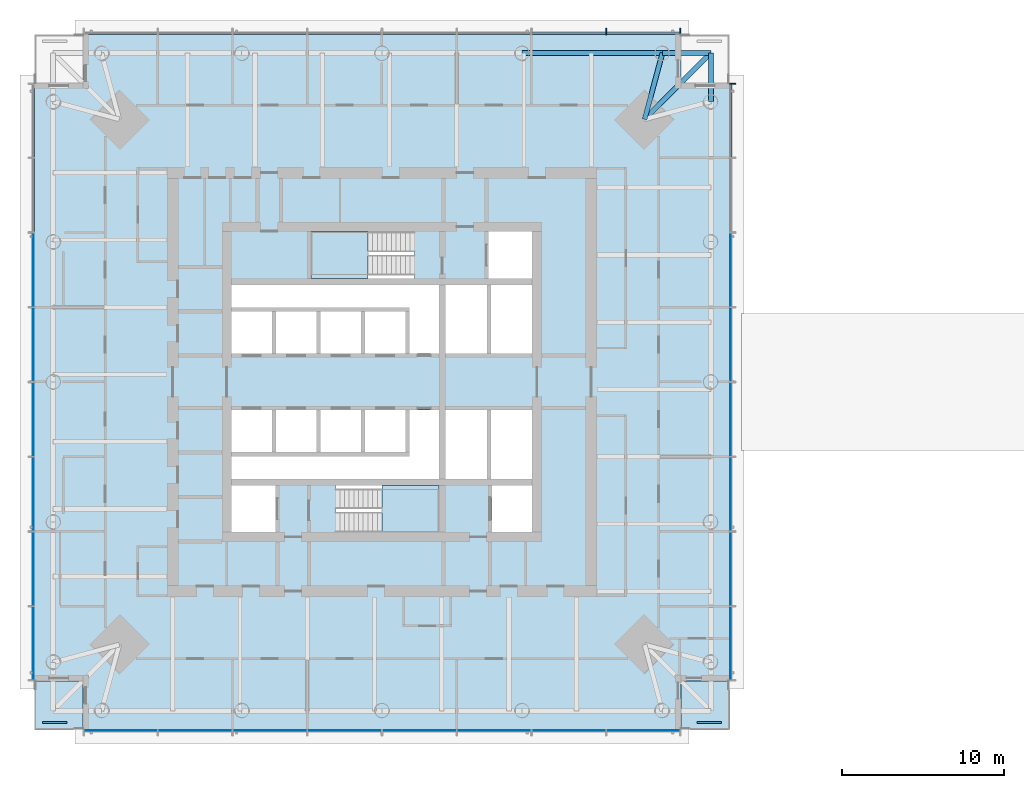
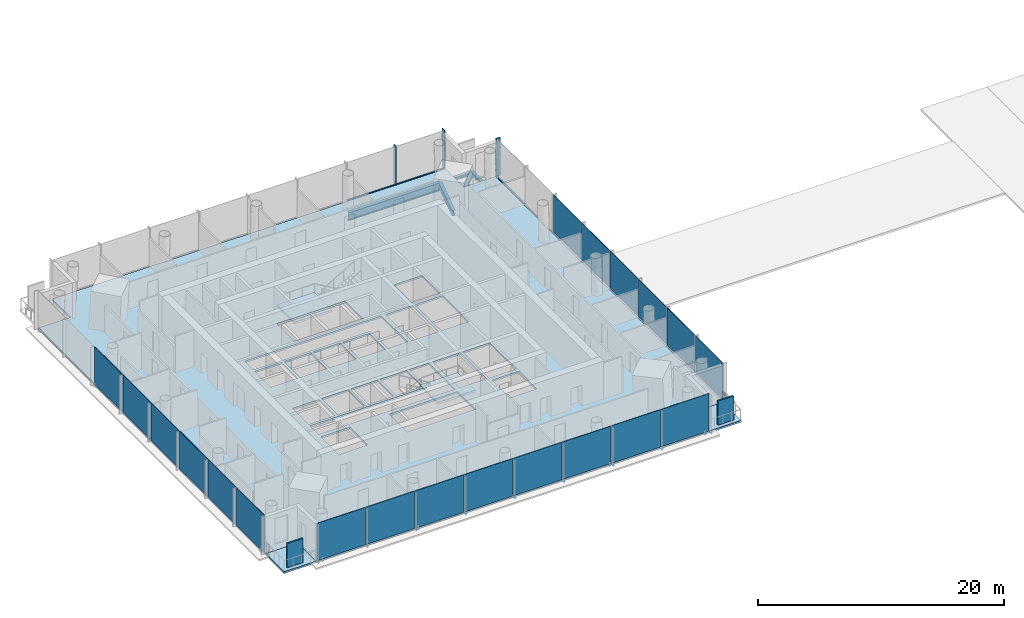
# One storey, part 3 of 16: 22 plates, 6 members, 5 beams, 5 slabs, 6 elements without a shape of their own.
"""IFC4 building model written with IfcOpenShell, lengths in metres."""

from ifc_helpers import new_model, si_unit, direction, frame, origin, origin_2d, place, context, subcontext, project, spatial, polyline, rectangle, i_section, outline, extrude, material, layer, layer_set, material_profile, profile_set, type_object, element, aggregate, save


model = new_model("IFC4")

# Units and contexts
model_context = context("Model", 3, precision=1e-05, world=origin(), true_north=direction((0.0, 1.0)))
body_context = subcontext(model_context, "Body", "Model", "MODEL_VIEW")
ifc_project = project(units=[si_unit("LENGTHUNIT", "METRE"), si_unit("AREAUNIT", "SQUARE_METRE"), si_unit("VOLUMEUNIT", "CUBIC_METRE"), si_unit("PLANEANGLEUNIT", "RADIAN"), si_unit("MASSUNIT", "GRAM", prefix="KILO")], contexts=[model_context])

# Site, building, storey
site_placement = place(None, origin())
site = spatial("IfcSite", under=ifc_project, at=site_placement, CompositionType="ELEMENT")
building_placement = place(site_placement, origin())
building = spatial("IfcBuilding", under=site, at=building_placement, Name="Ostroluk Exchange", CompositionType="ELEMENT")
storey_placement = place(building_placement, frame((0.0, 0.0, 135.0)))
storey = spatial("IfcBuildingStorey", under=building, at=storey_placement, Name="L34", CompositionType="ELEMENT", Elevation=135.0)

# Beams
ifc_material_1 = material(Name="Steel S355", Category="steel")
ifc_material_profile_1 = material_profile(ifc_material_1, i_section(OverallWidth=0.300048828125, OverallDepth=0.300048828125, WebThickness=0.010986328125, FlangeThickness=0.01904296875, FilletRadius=0.027099609375, at=origin_2d()), Name="HEB 300")
ifc_profile_set_1 = profile_set([ifc_material_profile_1], Name="Steel S355")
beam_type_1 = type_object("IfcBeamType", Name="Balcony beam HEB 300", PredefinedType="BEAM", material=ifc_profile_set_1)
for number, where, z_axis, x_axis, name in (
    (1, (65.357177734375, 63.357177734375, -0.330078125), (0.0, 1.0, 0.0), (-1.0, 0.0, 0.0), "T1 east balcony beam a"),
    (2, (62.357177734375, 66.357177734375, -0.330078125), (1.0, 0.0, 0.0), (0.0, 1.0, 0.0), "T1 east balcony beam b"),
):
    element("IfcBeam", number, at=place(storey_placement, frame(where, z_axis=z_axis, x_axis=x_axis)), inside=storey, type_object=beam_type_1, Name=name, PredefinedType="BEAM", context=body_context, shape_type="SweptSolid", body=[
        extrude(i_section(OverallWidth=0.300048828125, OverallDepth=0.300048828125, WebThickness=0.010986328125, FlangeThickness=0.01904296875, FilletRadius=0.027099609375, at=origin_2d()), origin(), (0.0, 0.0, 1.0), 3.0),
    ])
beam_1_placement = place(storey_placement, frame((61.257080078125, 62.257080078125, -0.330078125), z_axis=(0.707106781187, 0.707106781187, 0.0), x_axis=(-0.707106781187, 0.707106781187, 0.0)))
element("IfcBeam", 3, at=beam_1_placement, inside=storey, type_object=beam_type_1, Name="T1 east balcony beam c", PredefinedType="BEAM", context=body_context, shape_type="SweptSolid", body=[
    extrude(i_section(OverallWidth=0.300048828125, OverallDepth=0.300048828125, WebThickness=0.010986328125, FlangeThickness=0.01904296875, FilletRadius=0.027099609375, at=origin_2d()), origin(), (0.0, 0.0, 1.0), 5.79833984375),
])
ifc_material_2 = material(Name="Steel S355", Category="steel")
ifc_material_profile_2 = material_profile(ifc_material_2, i_section(OverallWidth=0.300048828125, OverallDepth=0.550048828125, WebThickness=0.014892578125, FlangeThickness=0.029052734375, FilletRadius=0.027099609375, at=origin_2d()), Name="HEB 550")
ifc_profile_set_2 = profile_set([ifc_material_profile_2], Name="Steel S355")
beam_type_2 = type_object("IfcBeamType", Name="Corner edge beam HEB 550", PredefinedType="SPANDREL", material=ifc_profile_set_2)
beam_2_placement = place(storey_placement, frame((61.257080078125, 62.257080078125, -0.455078125), z_axis=(0.259144268261, 0.965838624319, 0.0), x_axis=(-0.965838624319, 0.259144268261, 0.0)))
element("IfcBeam", 4, at=beam_2_placement, inside=storey, type_object=beam_type_2, Name="T1 east corner edge beam b", PredefinedType="SPANDREL", context=body_context, shape_type="SweptSolid", body=[
    extrude(i_section(OverallWidth=0.300048828125, OverallDepth=0.550048828125, WebThickness=0.014892578125, FlangeThickness=0.029052734375, FilletRadius=0.027099609375, at=origin_2d()), origin(), (0.0, 0.0, 1.0), 4.2451171875),
])
ifc_material_3 = material(Name="Steel S355", Category="steel")
ifc_material_profile_3 = material_profile(ifc_material_3, i_section(OverallWidth=0.300048828125, OverallDepth=0.800048828125, WebThickness=0.017578125, FlangeThickness=0.032958984375, FilletRadius=0.030029296875, at=origin_2d()), Name="HEB 800")
ifc_profile_set_3 = profile_set([ifc_material_profile_3], Name="Steel S355")
beam_type_3 = type_object("IfcBeamType", Name="Moment-connected edge beam HEB 800", PredefinedType="SPANDREL", material=ifc_profile_set_3)
beam_3_placement = place(storey_placement, frame((62.357177734375, 66.357177734375, -0.580078125), z_axis=(-1.0, 0.0, 0.0), x_axis=(0.0, -1.0, 0.0)))
element("IfcBeam", 5, at=beam_3_placement, inside=storey, type_object=beam_type_3, Name="T1 north edge beam 1", PredefinedType="SPANDREL", context=body_context, shape_type="SweptSolid", body=[
    extrude(i_section(OverallWidth=0.300048828125, OverallDepth=0.800048828125, WebThickness=0.017578125, FlangeThickness=0.032958984375, FilletRadius=0.030029296875, at=origin_2d()), origin(), (0.0, 0.0, 1.0), 8.6787109375),
])

# Curtain wall, member
ifc_material_4 = material(Name="Laminated clear glass", Category="glass")
curtain_wall_type = type_object("IfcCurtainWallType", Name="Office tower facade", PredefinedType="USERDEFINED", material=ifc_material_4)
curtain_wall_1_placement = place(storey_placement, origin())
curtain_wall_1 = element("IfcCurtainWall", 6, at=curtain_wall_1_placement, inside=storey, type_object=curtain_wall_type, Name="Office tower east facade L34", ObjectType="UNITISED CURTAIN WALL", PredefinedType="USERDEFINED")
ifc_material_5 = material(Name="Aluminium mullion", Category="aluminium")
ifc_material_profile_4 = material_profile(ifc_material_5, rectangle(XDim=0.14990234375, YDim=0.080078125, at=origin_2d()), Name="Sill transom 80 x 150")
ifc_profile_set_4 = profile_set([ifc_material_profile_4], Name="Aluminium mullion")
member_type_1 = type_object("IfcMemberType", Name="Sill transom 80 x 150", PredefinedType="USERDEFINED", material=ifc_profile_set_4)
member_1_placement = place(storey_placement, frame((66.574951171875, 59.9150390625, 0.0400390625), z_axis=(0.0, 1.0, 0.0), x_axis=(-1.0, 0.0, 0.0)))
member_1 = element("IfcMember", 7, at=member_1_placement, type_object=member_type_1, Name="CW-O1 transom 8.1", ObjectType="TRANSOM", PredefinedType="USERDEFINED", context=body_context, shape_type="SweptSolid", body=[
    extrude(rectangle(XDim=0.14990234375, YDim=0.080078125, at=origin_2d()), origin(), (0.0, 0.0, 1.0), 4.5048828125),
])

# Curtain wall, members
curtain_wall_2_placement = place(storey_placement, origin())
curtain_wall_2 = element("IfcCurtainWall", 8, at=curtain_wall_2_placement, inside=storey, type_object=curtain_wall_type, Name="Office tower north facade L34", ObjectType="UNITISED CURTAIN WALL", PredefinedType="USERDEFINED")
member_2_placement = place(storey_placement, frame((63.419921875, 67.574951171875, 0.0400390625), z_axis=(-1.0, 0.0, 0.0), x_axis=(0.0, -1.0, 0.0)))
member_2 = element("IfcMember", 9, at=member_2_placement, type_object=member_type_1, Name="CW-O1 transom 1.1", ObjectType="TRANSOM", PredefinedType="USERDEFINED", context=body_context, shape_type="SweptSolid", body=[
    extrude(rectangle(XDim=0.14990234375, YDim=0.080078125, at=origin_2d()), origin(), (0.0, 0.0, 1.0), 4.5048828125),
])
member_3_placement = place(storey_placement, frame((58.8349609375, 67.574951171875, 0.0400390625), z_axis=(-1.0, 0.0, 0.0), x_axis=(0.0, -1.0, 0.0)))
member_3 = element("IfcMember", 10, at=member_3_placement, type_object=member_type_1, Name="CW-O1 transom 2.1", ObjectType="TRANSOM", PredefinedType="USERDEFINED", context=body_context, shape_type="SweptSolid", body=[
    extrude(rectangle(XDim=0.14990234375, YDim=0.080078125, at=origin_2d()), origin(), (0.0, 0.0, 1.0), 4.544921875),
])

# Member
ifc_material_6 = material(Name="Aluminium mullion with limestone facing", Category="masonry")
ifc_material_profile_5 = material_profile(ifc_material_6, rectangle(XDim=0.39990234375, YDim=0.080078125, at=origin_2d()), Name="Tracery mullion 80 x 400")
ifc_profile_set_5 = profile_set([ifc_material_profile_5], Name="Aluminium mullion with limestone facing")
member_type_2 = type_object("IfcMemberType", Name="Tracery mullion 80 x 400", PredefinedType="MULLION", material=ifc_profile_set_5)
member_4_placement = place(storey_placement, frame((66.699951171875, 64.4599609375, 0.0), z_axis=(0.0, 0.0, 1.0), x_axis=(-1.0, 0.0, 0.0)))
member_4 = element("IfcMember", 11, at=member_4_placement, type_object=member_type_2, Name="CW-O1 mullion 9", PredefinedType="MULLION", context=body_context, shape_type="SweptSolid", body=[
    extrude(rectangle(XDim=0.39990234375, YDim=0.080078125, at=origin_2d()), origin(), (0.0, 0.0, 1.0), 3.800048828125),
])

member_5_placement = place(storey_placement, frame((63.4599609375, 67.699951171875, 0.0), z_axis=(0.0, 0.0, 1.0), x_axis=(0.0, -1.0, 0.0)))
member_5 = element("IfcMember", 12, at=member_5_placement, type_object=member_type_2, Name="CW-O1 mullion 1", PredefinedType="MULLION", context=body_context, shape_type="SweptSolid", body=[
    extrude(rectangle(XDim=0.39990234375, YDim=0.080078125, at=origin_2d()), origin(), (0.0, 0.0, 1.0), 3.800048828125),
])

member_6_placement = place(storey_placement, frame((58.875, 67.699951171875, 0.0), z_axis=(0.0, 0.0, 1.0), x_axis=(0.0, -1.0, 0.0)))
member_6 = element("IfcMember", 13, at=member_6_placement, type_object=member_type_2, Name="CW-O1 mullion 2", PredefinedType="MULLION", context=body_context, shape_type="SweptSolid", body=[
    extrude(rectangle(XDim=0.39990234375, YDim=0.080078125, at=origin_2d()), origin(), (0.0, 0.0, 1.0), 3.800048828125),
])

aggregate(curtain_wall_2, [member_5, member_6, member_2, member_3])

# Slabs
ifc_material_7 = material(Name="Concrete C35/45", Category="concrete")
ifc_layer_1 = layer(ifc_material_7, 0.179931640625)
ifc_layer_set_1 = layer_set([ifc_layer_1], Name="Balcony slab 180")
slab_type_1 = type_object("IfcSlabType", Name="Balcony slab 180", PredefinedType="USERDEFINED", material=ifc_layer_set_1)
slab_1_placement = place(storey_placement, frame((0.0, 0.0, -0.179931640625)))
element("IfcSlab", 14, at=slab_1_placement, inside=storey, type_object=slab_type_1, Name="Office tower SE corner balcony L34", ObjectType="BALCONY", PredefinedType="USERDEFINED", context=body_context, shape_type="SweptSolid", body=[
    extrude(outline(polyline([(63.5, 24.5), (66.5, 24.5), (66.5, 27.5), (63.5, 27.5), (63.5, 24.5)])), origin(), (0.0, 0.0, 1.0), 0.179931640625),
])
slab_2_placement = place(storey_placement, frame((0.0, 0.0, -0.179931640625)))
element("IfcSlab", 15, at=slab_2_placement, inside=storey, type_object=slab_type_1, Name="Office tower SW corner balcony L34", ObjectType="BALCONY", PredefinedType="USERDEFINED", context=body_context, shape_type="SweptSolid", body=[
    extrude(outline(polyline([(23.5, 24.5), (26.5, 24.5), (26.5, 27.5), (23.5, 27.5), (23.5, 24.5)])), origin(), (0.0, 0.0, 1.0), 0.179931640625),
])

# Plates
ifc_material_8 = material(Name="Steel S355 trellis with planting", Category="steel")
ifc_layer_2 = layer(ifc_material_8, 0.14990234375)
ifc_layer_set_2 = layer_set([ifc_layer_2], Name="Planted screen 150")
plate_type_1 = type_object("IfcPlateType", Name="Planted screen 150", PredefinedType="USERDEFINED", material=ifc_layer_set_2)
for number, where, z_axis, x_axis, name in (
    (16, (65.25, 24.925048828125, 0.0), (0.0, 0.0, 1.0), (1.0, 0.0, 0.0), "Office tower SE planted screen L34"),
    (17, (24.75, 24.925048828125, 0.0), (0.0, 0.0, 1.0), (1.0, 0.0, 0.0), "Office tower SW planted screen L34"),
):
    element("IfcPlate", number, at=place(storey_placement, frame(where, z_axis=z_axis, x_axis=x_axis)), inside=storey, type_object=plate_type_1, Name=name, ObjectType="PLANTED SCREEN", PredefinedType="USERDEFINED", context=body_context, shape_type="SweptSolid", body=[
        extrude(rectangle(XDim=1.5, YDim=0.14990234375, at=origin_2d()), origin(), (0.0, 0.0, 1.0), 2.39990234375),
    ])

# Stair, slab
ifc_material_9 = material(Name="Concrete C30/37", Category="concrete")
stair_type = type_object("IfcStairType", Name="Exit stair half turn 3800", PredefinedType="HALF_TURN_STAIR", material=ifc_material_9)
stair_1_placement = place(storey_placement, origin())
stair_1 = element("IfcStair", 18, at=stair_1_placement, inside=storey, type_object=stair_type, Name="Stair T1-S1 L34", PredefinedType="HALF_TURN_STAIR")
ifc_material_10 = material(Name="Concrete C30/37", Category="concrete")
ifc_layer_3 = layer(ifc_material_10, 0.199951171875)
ifc_layer_set_3 = layer_set([ifc_layer_3], Name="Stair landing 200")
slab_type_2 = type_object("IfcSlabType", Name="Stair landing 200", PredefinedType="LANDING", material=ifc_layer_set_3)
slab_3_placement = place(storey_placement, frame((0.0, 0.0, 1.699951171875)))
slab_3 = element("IfcSlab", 19, at=slab_3_placement, type_object=slab_type_2, Name="T1-S1 landing 1", PredefinedType="LANDING", context=body_context, shape_type="SweptSolid", body=[
    extrude(outline(polyline([(45.0, 36.699951171875), (45.0, 39.60009765625), (48.530029296875, 39.60009765625), (48.530029296875, 36.699951171875), (45.0, 36.699951171875)])), origin(), (0.0, 0.0, 1.0), 0.199951171875),
])
aggregate(stair_1, [slab_3])

stair_2_placement = place(storey_placement, origin())
stair_2 = element("IfcStair", 20, at=stair_2_placement, inside=storey, type_object=stair_type, Name="Stair T1-S2 L34", PredefinedType="HALF_TURN_STAIR")
slab_4_placement = place(storey_placement, frame((0.0, 0.0, 1.699951171875)))
slab_4 = element("IfcSlab", 21, at=slab_4_placement, type_object=slab_type_2, Name="T1-S2 landing 1", PredefinedType="LANDING", context=body_context, shape_type="SweptSolid", body=[
    extrude(outline(polyline([(44.1298828125, 52.39990234375), (44.1298828125, 55.300048828125), (40.60009765625, 55.300048828125), (40.60009765625, 52.39990234375), (44.1298828125, 52.39990234375)])), origin(), (0.0, 0.0, 1.0), 0.199951171875),
])
aggregate(stair_2, [slab_4])

# Slab
ifc_material_11 = material(Name="Concrete C35/45", Category="concrete")
ifc_layer_4 = layer(ifc_material_11, 0.179931640625)
ifc_layer_set_4 = layer_set([ifc_layer_4], Name="Tower floor slab 180 composite")
slab_type_3 = type_object("IfcSlabType", Name="Tower floor slab 180 composite", PredefinedType="FLOOR", material=ifc_layer_set_4)
slab_5_placement = place(storey_placement, frame((0.0, 0.0, -0.179931640625)))
element("IfcSlab", 22, at=slab_5_placement, inside=storey, type_object=slab_type_3, Name="Office tower floor slab L34", PredefinedType="FLOOR", context=body_context, shape_type="SweptSolid", body=[
    extrude(outline(polyline([(26.5, 24.5), (63.5, 24.5), (63.5, 27.5), (66.5, 27.5), (66.5, 64.5), (63.5, 64.5), (63.5, 67.5), (26.5, 67.5), (26.5, 64.5), (23.5, 64.5), (23.5, 27.5), (26.5, 27.5), (26.5, 24.5)]), holes=[polyline([(35.699951171875, 36.699951171875), (38.39990234375, 36.699951171875), (38.39990234375, 39.60009765625), (35.699951171875, 39.60009765625), (35.699951171875, 36.699951171875)]), polyline([(42.110107421875, 36.699951171875), (48.530029296875, 36.699951171875), (48.530029296875, 39.60009765625), (42.110107421875, 39.60009765625), (42.110107421875, 36.699951171875)]), polyline([(51.800048828125, 36.699951171875), (54.300048828125, 36.699951171875), (54.300048828125, 39.60009765625), (51.800048828125, 39.60009765625), (51.800048828125, 36.699951171875)]), polyline([(40.60009765625, 52.39990234375), (47.02001953125, 52.39990234375), (47.02001953125, 55.300048828125), (40.60009765625, 55.300048828125), (40.60009765625, 52.39990234375)]), polyline([(51.60009765625, 52.39990234375), (54.300048828125, 52.39990234375), (54.300048828125, 55.300048828125), (51.60009765625, 55.300048828125), (51.60009765625, 52.39990234375)]), polyline([(35.699951171875, 47.75), (38.199951171875, 47.75), (38.199951171875, 50.35009765625), (35.699951171875, 50.35009765625), (35.699951171875, 47.75)]), polyline([(38.449951171875, 47.75), (40.949951171875, 47.75), (40.949951171875, 50.35009765625), (38.449951171875, 50.35009765625), (38.449951171875, 47.75)]), polyline([(41.199951171875, 47.75), (43.699951171875, 47.75), (43.699951171875, 50.35009765625), (41.199951171875, 50.35009765625), (41.199951171875, 47.75)]), polyline([(43.949951171875, 47.75), (46.449951171875, 47.75), (46.449951171875, 50.35009765625), (43.949951171875, 50.35009765625), (43.949951171875, 47.75)]), polyline([(35.699951171875, 41.64990234375), (38.199951171875, 41.64990234375), (38.199951171875, 44.25), (35.699951171875, 44.25), (35.699951171875, 41.64990234375)]), polyline([(38.449951171875, 41.64990234375), (40.949951171875, 41.64990234375), (40.949951171875, 44.25), (38.449951171875, 44.25), (38.449951171875, 41.64990234375)]), polyline([(41.199951171875, 41.64990234375), (43.699951171875, 41.64990234375), (43.699951171875, 44.25), (41.199951171875, 44.25), (41.199951171875, 41.64990234375)]), polyline([(43.949951171875, 41.64990234375), (46.449951171875, 41.64990234375), (46.449951171875, 44.25), (43.949951171875, 44.25), (43.949951171875, 41.64990234375)]), polyline([(48.929931640625, 47.75), (51.489990234375, 47.75), (51.489990234375, 52.0), (48.929931640625, 52.0), (48.929931640625, 47.75)]), polyline([(51.739990234375, 47.75), (54.300048828125, 47.75), (54.300048828125, 52.0), (51.739990234375, 52.0), (51.739990234375, 47.75)]), polyline([(48.929931640625, 40.0), (51.489990234375, 40.0), (51.489990234375, 44.25), (48.929931640625, 44.25), (48.929931640625, 40.0)]), polyline([(51.739990234375, 40.0), (54.300048828125, 40.0), (54.300048828125, 44.25), (51.739990234375, 44.25), (51.739990234375, 40.0)]), polyline([(48.530029296875, 52.0), (48.530029296875, 47.75), (46.699951171875, 47.75), (46.699951171875, 50.60009765625), (35.699951171875, 50.60009765625), (35.699951171875, 52.0), (48.530029296875, 52.0)]), polyline([(35.699951171875, 40.0), (35.699951171875, 41.39990234375), (46.699951171875, 41.39990234375), (46.699951171875, 44.25), (48.530029296875, 44.25), (48.530029296875, 40.0), (35.699951171875, 40.0)])]), origin(), (0.0, 0.0, 1.0), 0.179931640625),
])

# Curtain wall, plates
curtain_wall_3_placement = place(storey_placement, origin())
curtain_wall_3 = element("IfcCurtainWall", 23, at=curtain_wall_3_placement, inside=storey, type_object=curtain_wall_type, Name="Office tower south facade L34", ObjectType="UNITISED CURTAIN WALL", PredefinedType="USERDEFINED")
ifc_material_12 = material(Name="Laminated clear glass", Category="glass")
ifc_layer_5 = layer(ifc_material_12, 0.0439453125)
ifc_layer_set_5 = layer_set([ifc_layer_5], Name="Triple laminated clear glazing 44")
plate_type_2 = type_object("IfcPlateType", Name="Triple laminated clear glazing 44", PredefinedType="CURTAIN_PANEL", material=ifc_layer_set_5)
plate_1_placement = place(storey_placement, frame((28.83251953125, 24.425048828125, 0.080078125), z_axis=(0.0, 0.0, 1.0), x_axis=(1.0, 0.0, 0.0)))
plate_1 = element("IfcPlate", 24, at=plate_1_placement, type_object=plate_type_2, Name="CW-O1 panel 1.1", PredefinedType="CURTAIN_PANEL", context=body_context, shape_type="SweptSolid", body=[
    extrude(rectangle(XDim=4.5048828125, YDim=0.0439453125, at=origin_2d()), origin(), (0.0, 0.0, 1.0), 3.719970703125),
])
plate_2_placement = place(storey_placement, frame((33.4375, 24.425048828125, 0.080078125), z_axis=(0.0, 0.0, 1.0), x_axis=(1.0, 0.0, 0.0)))
plate_2 = element("IfcPlate", 25, at=plate_2_placement, type_object=plate_type_2, Name="CW-O1 panel 2.1", PredefinedType="CURTAIN_PANEL", context=body_context, shape_type="SweptSolid", body=[
    extrude(rectangle(XDim=4.544921875, YDim=0.0439453125, at=origin_2d()), origin(), (0.0, 0.0, 1.0), 3.719970703125),
])
plate_3_placement = place(storey_placement, frame((38.0625, 24.425048828125, 0.080078125), z_axis=(0.0, 0.0, 1.0), x_axis=(1.0, 0.0, 0.0)))
plate_3 = element("IfcPlate", 26, at=plate_3_placement, type_object=plate_type_2, Name="CW-O1 panel 3.1", PredefinedType="CURTAIN_PANEL", context=body_context, shape_type="SweptSolid", body=[
    extrude(rectangle(XDim=4.544921875, YDim=0.0439453125, at=origin_2d()), origin(), (0.0, 0.0, 1.0), 3.719970703125),
])
plate_4_placement = place(storey_placement, frame((42.6875, 24.425048828125, 0.080078125), z_axis=(0.0, 0.0, 1.0), x_axis=(1.0, 0.0, 0.0)))
plate_4 = element("IfcPlate", 27, at=plate_4_placement, type_object=plate_type_2, Name="CW-O1 panel 4.1", PredefinedType="CURTAIN_PANEL", context=body_context, shape_type="SweptSolid", body=[
    extrude(rectangle(XDim=4.544921875, YDim=0.0439453125, at=origin_2d()), origin(), (0.0, 0.0, 1.0), 3.719970703125),
])
plate_5_placement = place(storey_placement, frame((47.3125, 24.425048828125, 0.080078125), z_axis=(0.0, 0.0, 1.0), x_axis=(1.0, 0.0, 0.0)))
plate_5 = element("IfcPlate", 28, at=plate_5_placement, type_object=plate_type_2, Name="CW-O1 panel 5.1", PredefinedType="CURTAIN_PANEL", context=body_context, shape_type="SweptSolid", body=[
    extrude(rectangle(XDim=4.544921875, YDim=0.0439453125, at=origin_2d()), origin(), (0.0, 0.0, 1.0), 3.719970703125),
])
plate_6_placement = place(storey_placement, frame((51.9375, 24.425048828125, 0.080078125), z_axis=(0.0, 0.0, 1.0), x_axis=(1.0, 0.0, 0.0)))
plate_6 = element("IfcPlate", 29, at=plate_6_placement, type_object=plate_type_2, Name="CW-O1 panel 6.1", PredefinedType="CURTAIN_PANEL", context=body_context, shape_type="SweptSolid", body=[
    extrude(rectangle(XDim=4.544921875, YDim=0.0439453125, at=origin_2d()), origin(), (0.0, 0.0, 1.0), 3.719970703125),
])
plate_7_placement = place(storey_placement, frame((56.5625, 24.425048828125, 0.080078125), z_axis=(0.0, 0.0, 1.0), x_axis=(1.0, 0.0, 0.0)))
plate_7 = element("IfcPlate", 30, at=plate_7_placement, type_object=plate_type_2, Name="CW-O1 panel 7.1", PredefinedType="CURTAIN_PANEL", context=body_context, shape_type="SweptSolid", body=[
    extrude(rectangle(XDim=4.544921875, YDim=0.0439453125, at=origin_2d()), origin(), (0.0, 0.0, 1.0), 3.719970703125),
])
plate_8_placement = place(storey_placement, frame((61.16748046875, 24.425048828125, 0.080078125), z_axis=(0.0, 0.0, 1.0), x_axis=(1.0, 0.0, 0.0)))
plate_8 = element("IfcPlate", 31, at=plate_8_placement, type_object=plate_type_2, Name="CW-O1 panel 8.1", PredefinedType="CURTAIN_PANEL", context=body_context, shape_type="SweptSolid", body=[
    extrude(rectangle(XDim=4.5048828125, YDim=0.0439453125, at=origin_2d()), origin(), (0.0, 0.0, 1.0), 3.719970703125),
])
aggregate(curtain_wall_3, [plate_1, plate_2, plate_3, plate_4, plate_5, plate_6, plate_7, plate_8])

# Plate
plate_9_placement = place(storey_placement, frame((66.574951171875, 29.83251953125, 0.080078125), z_axis=(0.0, 0.0, 1.0), x_axis=(0.0, 1.0, 0.0)))
plate_9 = element("IfcPlate", 32, at=plate_9_placement, type_object=plate_type_2, Name="CW-O1 panel 1.1", PredefinedType="CURTAIN_PANEL", context=body_context, shape_type="SweptSolid", body=[
    extrude(rectangle(XDim=4.5048828125, YDim=0.0439453125, at=origin_2d()), origin(), (0.0, 0.0, 1.0), 3.719970703125),
])

plate_10_placement = place(storey_placement, frame((66.574951171875, 34.4375, 0.080078125), z_axis=(0.0, 0.0, 1.0), x_axis=(0.0, 1.0, 0.0)))
plate_10 = element("IfcPlate", 33, at=plate_10_placement, type_object=plate_type_2, Name="CW-O1 panel 2.1", PredefinedType="CURTAIN_PANEL", context=body_context, shape_type="SweptSolid", body=[
    extrude(rectangle(XDim=4.544921875, YDim=0.0439453125, at=origin_2d()), origin(), (0.0, 0.0, 1.0), 3.719970703125),
])

plate_11_placement = place(storey_placement, frame((66.574951171875, 39.0625, 0.080078125), z_axis=(0.0, 0.0, 1.0), x_axis=(0.0, 1.0, 0.0)))
plate_11 = element("IfcPlate", 34, at=plate_11_placement, type_object=plate_type_2, Name="CW-O1 panel 3.1", PredefinedType="CURTAIN_PANEL", context=body_context, shape_type="SweptSolid", body=[
    extrude(rectangle(XDim=4.544921875, YDim=0.0439453125, at=origin_2d()), origin(), (0.0, 0.0, 1.0), 3.719970703125),
])

plate_12_placement = place(storey_placement, frame((66.574951171875, 43.6875, 0.080078125), z_axis=(0.0, 0.0, 1.0), x_axis=(0.0, 1.0, 0.0)))
plate_12 = element("IfcPlate", 35, at=plate_12_placement, type_object=plate_type_2, Name="CW-O1 panel 4.1", PredefinedType="CURTAIN_PANEL", context=body_context, shape_type="SweptSolid", body=[
    extrude(rectangle(XDim=4.544921875, YDim=0.0439453125, at=origin_2d()), origin(), (0.0, 0.0, 1.0), 3.719970703125),
])

plate_13_placement = place(storey_placement, frame((66.574951171875, 48.3125, 0.080078125), z_axis=(0.0, 0.0, 1.0), x_axis=(0.0, 1.0, 0.0)))
plate_13 = element("IfcPlate", 36, at=plate_13_placement, type_object=plate_type_2, Name="CW-O1 panel 5.1", PredefinedType="CURTAIN_PANEL", context=body_context, shape_type="SweptSolid", body=[
    extrude(rectangle(XDim=4.544921875, YDim=0.0439453125, at=origin_2d()), origin(), (0.0, 0.0, 1.0), 3.719970703125),
])

plate_14_placement = place(storey_placement, frame((66.574951171875, 52.9375, 0.080078125), z_axis=(0.0, 0.0, 1.0), x_axis=(0.0, 1.0, 0.0)))
plate_14 = element("IfcPlate", 37, at=plate_14_placement, type_object=plate_type_2, Name="CW-O1 panel 6.1", PredefinedType="CURTAIN_PANEL", context=body_context, shape_type="SweptSolid", body=[
    extrude(rectangle(XDim=4.544921875, YDim=0.0439453125, at=origin_2d()), origin(), (0.0, 0.0, 1.0), 3.719970703125),
])

aggregate(curtain_wall_1, [member_4, plate_9, plate_10, plate_11, plate_12, plate_13, plate_14, member_1])

# Curtain wall, plates
curtain_wall_4_placement = place(storey_placement, origin())
curtain_wall_4 = element("IfcCurtainWall", 38, at=curtain_wall_4_placement, inside=storey, type_object=curtain_wall_type, Name="Office tower west facade L34", ObjectType="UNITISED CURTAIN WALL", PredefinedType="USERDEFINED")
plate_15_placement = place(storey_placement, frame((23.425048828125, 52.9375, 0.080078125), z_axis=(0.0, 0.0, 1.0), x_axis=(0.0, -1.0, 0.0)))
plate_15 = element("IfcPlate", 39, at=plate_15_placement, type_object=plate_type_2, Name="CW-O1 panel 3.1", PredefinedType="CURTAIN_PANEL", context=body_context, shape_type="SweptSolid", body=[
    extrude(rectangle(XDim=4.544921875, YDim=0.0439453125, at=origin_2d()), origin(), (0.0, 0.0, 1.0), 3.719970703125),
])
plate_16_placement = place(storey_placement, frame((23.425048828125, 48.3125, 0.080078125), z_axis=(0.0, 0.0, 1.0), x_axis=(0.0, -1.0, 0.0)))
plate_16 = element("IfcPlate", 40, at=plate_16_placement, type_object=plate_type_2, Name="CW-O1 panel 4.1", PredefinedType="CURTAIN_PANEL", context=body_context, shape_type="SweptSolid", body=[
    extrude(rectangle(XDim=4.544921875, YDim=0.0439453125, at=origin_2d()), origin(), (0.0, 0.0, 1.0), 3.719970703125),
])
plate_17_placement = place(storey_placement, frame((23.425048828125, 43.6875, 0.080078125), z_axis=(0.0, 0.0, 1.0), x_axis=(0.0, -1.0, 0.0)))
plate_17 = element("IfcPlate", 41, at=plate_17_placement, type_object=plate_type_2, Name="CW-O1 panel 5.1", PredefinedType="CURTAIN_PANEL", context=body_context, shape_type="SweptSolid", body=[
    extrude(rectangle(XDim=4.544921875, YDim=0.0439453125, at=origin_2d()), origin(), (0.0, 0.0, 1.0), 3.719970703125),
])
plate_18_placement = place(storey_placement, frame((23.425048828125, 39.0625, 0.080078125), z_axis=(0.0, 0.0, 1.0), x_axis=(0.0, -1.0, 0.0)))
plate_18 = element("IfcPlate", 42, at=plate_18_placement, type_object=plate_type_2, Name="CW-O1 panel 6.1", PredefinedType="CURTAIN_PANEL", context=body_context, shape_type="SweptSolid", body=[
    extrude(rectangle(XDim=4.544921875, YDim=0.0439453125, at=origin_2d()), origin(), (0.0, 0.0, 1.0), 3.719970703125),
])
plate_19_placement = place(storey_placement, frame((23.425048828125, 34.4375, 0.080078125), z_axis=(0.0, 0.0, 1.0), x_axis=(0.0, -1.0, 0.0)))
plate_19 = element("IfcPlate", 43, at=plate_19_placement, type_object=plate_type_2, Name="CW-O1 panel 7.1", PredefinedType="CURTAIN_PANEL", context=body_context, shape_type="SweptSolid", body=[
    extrude(rectangle(XDim=4.544921875, YDim=0.0439453125, at=origin_2d()), origin(), (0.0, 0.0, 1.0), 3.719970703125),
])
plate_20_placement = place(storey_placement, frame((23.425048828125, 29.83251953125, 0.080078125), z_axis=(0.0, 0.0, 1.0), x_axis=(0.0, -1.0, 0.0)))
plate_20 = element("IfcPlate", 44, at=plate_20_placement, type_object=plate_type_2, Name="CW-O1 panel 8.1", PredefinedType="CURTAIN_PANEL", context=body_context, shape_type="SweptSolid", body=[
    extrude(rectangle(XDim=4.5048828125, YDim=0.0439453125, at=origin_2d()), origin(), (0.0, 0.0, 1.0), 3.719970703125),
])
aggregate(curtain_wall_4, [plate_15, plate_16, plate_17, plate_18, plate_19, plate_20])

save(model, "model.ifc")
